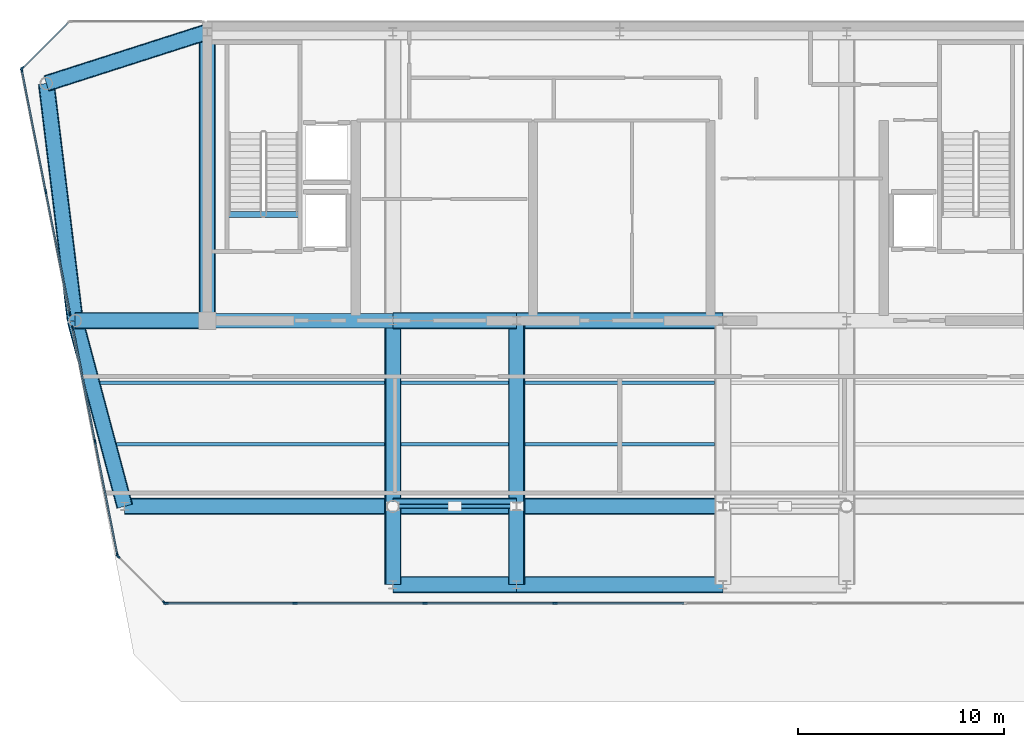
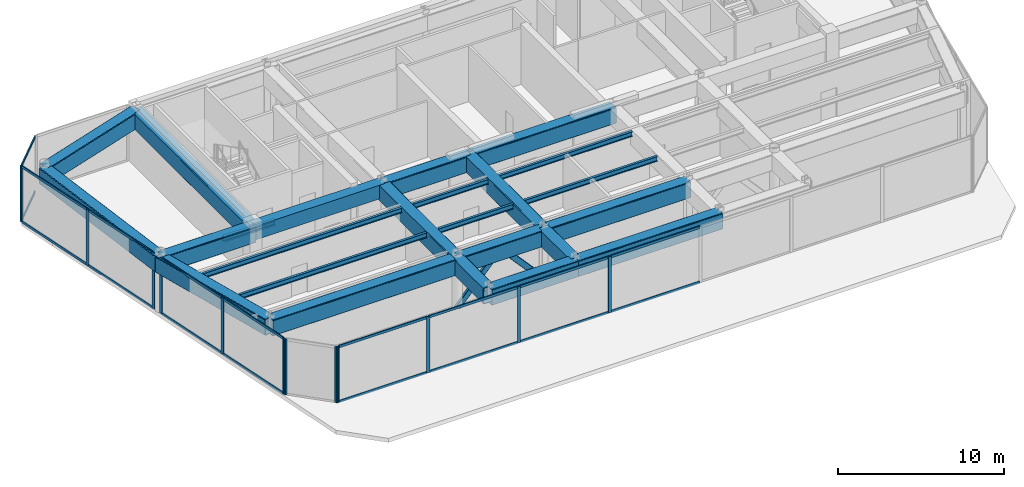
# One storey, part 3 of 12: 33 members, 24 beams, 5 elements without a shape of their own.
"""IFC4 building model written with IfcOpenShell, lengths in metres."""

from ifc_helpers import new_model, si_unit, direction, frame, origin, origin_2d, place, context, subcontext, project, spatial, rectangle, hollow_rectangle, i_section, extrude, source, transform, mapped, material, layer, layer_set, material_profile, profile_set, type_object, element, aggregate, save


model = new_model("IFC4")

# Units and contexts
model_context = context("Model", 3, precision=1e-05, world=origin(), true_north=direction((0.0, 1.0)))
body_context = subcontext(model_context, "Body", "Model", "MODEL_VIEW")
ifc_project = project(units=[si_unit("LENGTHUNIT", "METRE"), si_unit("AREAUNIT", "SQUARE_METRE"), si_unit("VOLUMEUNIT", "CUBIC_METRE"), si_unit("PLANEANGLEUNIT", "RADIAN"), si_unit("MASSUNIT", "GRAM", prefix="KILO")], contexts=[model_context])

# Site, building, storey
site_placement = place(None, origin())
site = spatial("IfcSite", under=ifc_project, at=site_placement, CompositionType="ELEMENT")
building_placement = place(site_placement, origin())
building = spatial("IfcBuilding", under=site, at=building_placement, Name="Vaeldorn Concourse Tower", CompositionType="ELEMENT")
storey_placement = place(building_placement, frame((0.0, 0.0, 308.39990234375)))
storey = spatial("IfcBuildingStorey", under=building, at=storey_placement, Name="L79", CompositionType="ELEMENT", Elevation=308.39990234375)

# Beams
ifc_material_1 = material(Name="Concrete C50/60", Category="concrete")
ifc_material_profile_1 = material_profile(ifc_material_1, rectangle(XDim=0.699951171875, YDim=1.0, at=origin_2d()), Name="RC 700x1000")
ifc_profile_set_1 = profile_set([ifc_material_profile_1], Name="Concrete C50/60")
beam_type_1 = type_object("IfcBeamType", Name="BM-CB-RC700", PredefinedType="BEAM", material=ifc_profile_set_1)
shared_shape_1 = source(origin(), body_context, "Body", "SweptSolid", [
    extrude(rectangle(XDim=0.699951171875, YDim=1.0, at=origin_2d()), origin(), (0.0, 0.0, 1.0), 9.0),
])
beam_1_placement = place(storey_placement, frame((14.0, 36.5, 3.60009765625), z_axis=(1.0, 0.0, 0.0), x_axis=(0.0, 1.0, 0.0)))
element("IfcBeam", 1, at=beam_1_placement, inside=storey, type_object=beam_type_1, Name="Core Coupling Beam L79-1", PredefinedType="BEAM", context=body_context, shape_type="MappedRepresentation", body=[
    mapped(shared_shape_1, transform((0.0, 0.0, 0.0), scale=1.0)),
])
ifc_material_2 = material(Name="Steel S355", Category="steel")
ifc_material_profile_2 = material_profile(ifc_material_2, i_section(OverallWidth=0.300048828125, OverallDepth=0.340087890625, WebThickness=0.011962890625, FlangeThickness=0.021484375, FilletRadius=0.027099609375, at=origin_2d()), Name="HEB 340")
ifc_profile_set_2 = profile_set([ifc_material_profile_2], Name="Steel S355")
beam_type_2 = type_object("IfcBeamType", Name="BM-ST-TRIM", PredefinedType="BEAM", material=ifc_profile_set_2)
shared_shape_2 = source(origin(), body_context, "Body", "SweptSolid", [
    extrude(i_section(OverallWidth=0.300048828125, OverallDepth=0.340087890625, WebThickness=0.011962890625, FlangeThickness=0.021484375, FilletRadius=0.027099609375, at=origin_2d()), origin(), (0.0, 0.0, 1.0), 3.590087890625),
])
beam_2_placement = place(storey_placement, frame((14.929931640625, 41.639892578125, -0.469970703125), z_axis=(1.0, 0.0, 0.0), x_axis=(0.0, 1.0, 0.0)))
element("IfcBeam", 2, at=beam_2_placement, inside=storey, type_object=beam_type_2, Name="Stair Landing Trimmer Beam ST-1 L79", PredefinedType="BEAM", context=body_context, shape_type="MappedRepresentation", body=[
    mapped(shared_shape_2, transform((0.0, 0.0, 0.0), scale=1.0)),
])
ifc_material_3 = material(Name="Steel S460", Category="steel")
ifc_material_profile_3 = material_profile(ifc_material_3, hollow_rectangle(XDim=0.800048828125, YDim=1.199951171875, WallThickness=0.044921875, InnerFilletRadius=0.044921875, OuterFilletRadius=0.090087890625, at=origin_2d()), Name="RHS 1200x800x45")
ifc_profile_set_3 = profile_set([ifc_material_profile_3], Name="Steel S460")
beam_type_3 = type_object("IfcBeamType", Name="BM-TG-RHS1200", PredefinedType="BEAM", material=ifc_profile_set_3)
shared_shape_3 = source(origin(), body_context, "Body", "SweptSolid", [
    extrude(hollow_rectangle(XDim=0.800048828125, YDim=1.199951171875, WallThickness=0.044921875, InnerFilletRadius=0.044921875, OuterFilletRadius=0.090087890625, at=origin_2d()), origin(), (0.0, 0.0, 1.0), 6.0),
])
for number, where, z_axis, x_axis, name in (
    (3, (23.0, 36.5, 3.5), (1.0, 0.0, 0.0), (0.0, 1.0, 0.0), "Beam BM-L79-C-FC2-C-FC3"),
    (4, (23.0, 27.5, 3.5), (1.0, 0.0, 0.0), (0.0, 1.0, 0.0), "Beam BM-L79-C-TW1-C-TW2"),
    (5, (23.0, 23.699951171875, 3.5), (1.0, 0.0, 0.0), (0.0, 1.0, 0.0), "Beam BM-L79-C-SF2-C-SF3"),
):
    element("IfcBeam", number, at=place(storey_placement, frame(where, z_axis=z_axis, x_axis=x_axis)), inside=storey, type_object=beam_type_3, Name=name, PredefinedType="BEAM", context=body_context, shape_type="MappedRepresentation", body=[
        mapped(shared_shape_3, transform((0.0, 0.0, 0.0), scale=1.0)),
    ])
shared_shape_4 = source(origin(), body_context, "Body", "SweptSolid", [
    extrude(hollow_rectangle(XDim=0.800048828125, YDim=1.199951171875, WallThickness=0.044921875, InnerFilletRadius=0.044921875, OuterFilletRadius=0.090087890625, at=origin_2d()), origin(), (0.0, 0.0, 1.0), 10.0),
])
for number, where, z_axis, x_axis, name in (
    (6, (29.0, 36.5, 3.5), (1.0, 0.0, 0.0), (0.0, 1.0, 0.0), "Beam BM-L79-C-FC3-C-FC4"),
    (7, (29.0, 27.5, 3.5), (1.0, 0.0, 0.0), (0.0, 1.0, 0.0), "Beam BM-L79-C-TW2-C-TW3"),
    (8, (29.0, 23.699951171875, 3.5), (1.0, 0.0, 0.0), (0.0, 1.0, 0.0), "Beam BM-L79-C-SF3-C-SF4"),
):
    element("IfcBeam", number, at=place(storey_placement, frame(where, z_axis=z_axis, x_axis=x_axis)), inside=storey, type_object=beam_type_3, Name=name, PredefinedType="BEAM", context=body_context, shape_type="MappedRepresentation", body=[
        mapped(shared_shape_4, transform((0.0, 0.0, 0.0), scale=1.0)),
    ])
shared_shape_5 = source(origin(), body_context, "Body", "SweptSolid", [
    extrude(hollow_rectangle(XDim=0.800048828125, YDim=1.199951171875, WallThickness=0.044921875, InnerFilletRadius=0.044921875, OuterFilletRadius=0.090087890625, at=origin_2d()), origin(), (0.0, 0.0, 1.0), 9.0),
])
for number, where, z_axis, x_axis, name in (
    (9, (23.0, 27.5, 3.5), (0.0, 1.0, 0.0), (-1.0, 0.0, 0.0), "Beam BM-L79-C-TW1-C-FC2"),
    (10, (29.0, 27.5, 3.5), (0.0, 1.0, 0.0), (-1.0, 0.0, 0.0), "Beam BM-L79-C-TW2-C-FC3"),
):
    element("IfcBeam", number, at=place(storey_placement, frame(where, z_axis=z_axis, x_axis=x_axis)), inside=storey, type_object=beam_type_3, Name=name, PredefinedType="BEAM", context=body_context, shape_type="MappedRepresentation", body=[
        mapped(shared_shape_5, transform((0.0, 0.0, 0.0), scale=1.0)),
    ])
shared_shape_6 = source(origin(), body_context, "Body", "SweptSolid", [
    extrude(hollow_rectangle(XDim=0.800048828125, YDim=1.199951171875, WallThickness=0.044921875, InnerFilletRadius=0.044921875, OuterFilletRadius=0.090087890625, at=origin_2d()), origin(), (0.0, 0.0, 1.0), 14.0),
])
beam_3_placement = place(storey_placement, frame((14.0, 36.5, 3.5), z_axis=(0.0, 1.0, 0.0), x_axis=(-1.0, 0.0, 0.0)))
element("IfcBeam", 11, at=beam_3_placement, inside=storey, type_object=beam_type_3, Name="Beam BM-L79-C-FC1-C-HC1", PredefinedType="BEAM", context=body_context, shape_type="MappedRepresentation", body=[
    mapped(shared_shape_6, transform((0.0, 0.0, 0.0), scale=1.0)),
])
shared_shape_7 = source(origin(), body_context, "Body", "SweptSolid", [
    extrude(hollow_rectangle(XDim=0.800048828125, YDim=1.199951171875, WallThickness=0.044921875, InnerFilletRadius=0.044921875, OuterFilletRadius=0.090087890625, at=origin_2d()), origin(), (0.0, 0.0, 1.0), 13.0),
])
beam_4_placement = place(storey_placement, frame((10.0, 27.5, 3.5), z_axis=(1.0, 0.0, 0.0), x_axis=(0.0, 1.0, 0.0)))
element("IfcBeam", 12, at=beam_4_placement, inside=storey, type_object=beam_type_3, Name="Beam BM-L79-C-FLW1-C-TW1", PredefinedType="BEAM", context=body_context, shape_type="MappedRepresentation", body=[
    mapped(shared_shape_7, transform((0.0, 0.0, 0.0), scale=1.0)),
])
shared_shape_8 = source(origin(), body_context, "Body", "SweptSolid", [
    extrude(hollow_rectangle(XDim=0.800048828125, YDim=1.199951171875, WallThickness=0.044921875, InnerFilletRadius=0.044921875, OuterFilletRadius=0.090087890625, at=origin_2d()), origin(), (0.0, 0.0, 1.0), 6.39990234375),
])
beam_5_placement = place(storey_placement, frame((7.60009765625, 36.5, 3.5), z_axis=(1.0, 0.0, 0.0), x_axis=(0.0, 1.0, 0.0)))
element("IfcBeam", 13, at=beam_5_placement, inside=storey, type_object=beam_type_3, Name="Beam BM-L79-C-NW2-C-FC1", PredefinedType="BEAM", context=body_context, shape_type="MappedRepresentation", body=[
    mapped(shared_shape_8, transform((0.0, 0.0, 0.0), scale=1.0)),
])
shared_shape_9 = source(origin(), body_context, "Body", "SweptSolid", [
    extrude(hollow_rectangle(XDim=0.800048828125, YDim=1.199951171875, WallThickness=0.044921875, InnerFilletRadius=0.044921875, OuterFilletRadius=0.090087890625, at=origin_2d()), origin(), (0.0, 0.0, 1.0), 8.19091796875),
])
beam_6_placement = place(storey_placement, frame((6.199951171875, 48.0, 3.5), z_axis=(0.952282843383, 0.305216949396, 0.0), x_axis=(-0.305216949396, 0.952282843383, 0.0)))
element("IfcBeam", 14, at=beam_6_placement, inside=storey, type_object=beam_type_3, Name="Beam BM-L79-C-NW1-C-HC1", PredefinedType="BEAM", context=body_context, shape_type="MappedRepresentation", body=[
    mapped(shared_shape_9, transform((0.0, 0.0, 0.0), scale=1.0)),
])
shared_shape_10 = source(origin(), body_context, "Body", "SweptSolid", [
    extrude(hollow_rectangle(XDim=0.800048828125, YDim=1.199951171875, WallThickness=0.044921875, InnerFilletRadius=0.044921875, OuterFilletRadius=0.090087890625, at=origin_2d()), origin(), (0.0, 0.0, 1.0), 11.5849609375),
])
beam_7_placement = place(storey_placement, frame((6.199951171875, 48.0, 3.5), z_axis=(0.120859382899, -0.992669637677, 0.0), x_axis=(0.992669637677, 0.120859382899, 0.0)))
element("IfcBeam", 15, at=beam_7_placement, inside=storey, type_object=beam_type_3, Name="Beam BM-L79-C-NW1-C-NW2", PredefinedType="BEAM", context=body_context, shape_type="MappedRepresentation", body=[
    mapped(shared_shape_10, transform((0.0, 0.0, 0.0), scale=1.0)),
])
shared_shape_11 = source(origin(), body_context, "Body", "SweptSolid", [
    extrude(hollow_rectangle(XDim=0.800048828125, YDim=1.199951171875, WallThickness=0.044921875, InnerFilletRadius=0.044921875, OuterFilletRadius=0.090087890625, at=origin_2d()), origin(), (0.0, 0.0, 1.0), 9.314453125),
])
beam_8_placement = place(storey_placement, frame((7.60009765625, 36.5, 3.5), z_axis=(0.257652862255, -0.966237549763, 0.0), x_axis=(0.966237549763, 0.257652862255, 0.0)))
element("IfcBeam", 16, at=beam_8_placement, inside=storey, type_object=beam_type_3, Name="Beam BM-L79-C-NW2-C-FLW1", PredefinedType="BEAM", context=body_context, shape_type="MappedRepresentation", body=[
    mapped(shared_shape_11, transform((0.0, 0.0, 0.0), scale=1.0)),
])
ifc_material_profile_4 = material_profile(ifc_material_2, i_section(OverallWidth=0.169921875, OverallDepth=0.360107421875, WebThickness=0.008056640625, FlangeThickness=0.0126953125, FilletRadius=0.01806640625, at=origin_2d()), Name="IPE 360")
ifc_profile_set_4 = profile_set([ifc_material_profile_4], Name="Steel S355")
beam_type_4 = type_object("IfcBeamType", Name="BM-JS-IPE360", PredefinedType="JOIST", material=ifc_profile_set_4)
shared_shape_12 = source(origin(), body_context, "Body", "SweptSolid", [
    extrude(i_section(OverallWidth=0.169921875, OverallDepth=0.360107421875, WebThickness=0.008056640625, FlangeThickness=0.0126953125, FilletRadius=0.01806640625, at=origin_2d()), origin(), (0.0, 0.0, 1.0), 5.2001953125),
])
for number, where, z_axis, x_axis, name in (
    (17, (23.39990234375, 30.5, 3.920166015625), (1.0, 0.0, 0.0), (0.0, 1.0, 0.0), "Beam JS-L79-W2-305"),
    (18, (23.39990234375, 33.5, 3.920166015625), (1.0, 0.0, 0.0), (0.0, 1.0, 0.0), "Beam JS-L79-W2-335"),
):
    element("IfcBeam", number, at=place(storey_placement, frame(where, z_axis=z_axis, x_axis=x_axis)), inside=storey, type_object=beam_type_4, Name=name, PredefinedType="JOIST", context=body_context, shape_type="MappedRepresentation", body=[
        mapped(shared_shape_12, transform((0.0, 0.0, 0.0), scale=1.0)),
    ])
shared_shape_13 = source(origin(), body_context, "Body", "SweptSolid", [
    extrude(i_section(OverallWidth=0.169921875, OverallDepth=0.360107421875, WebThickness=0.008056640625, FlangeThickness=0.0126953125, FilletRadius=0.01806640625, at=origin_2d()), origin(), (0.0, 0.0, 1.0), 9.2001953125),
])
for number, where, z_axis, x_axis, name in (
    (19, (29.39990234375, 30.5, 3.920166015625), (1.0, 0.0, 0.0), (0.0, 1.0, 0.0), "Beam JS-L79-C-305"),
    (20, (29.39990234375, 33.5, 3.920166015625), (1.0, 0.0, 0.0), (0.0, 1.0, 0.0), "Beam JS-L79-C-335"),
):
    element("IfcBeam", number, at=place(storey_placement, frame(where, z_axis=z_axis, x_axis=x_axis)), inside=storey, type_object=beam_type_4, Name=name, PredefinedType="JOIST", context=body_context, shape_type="MappedRepresentation", body=[
        mapped(shared_shape_13, transform((0.0, 0.0, 0.0), scale=1.0)),
    ])
shared_shape_14 = source(origin(), body_context, "Body", "SweptSolid", [
    extrude(hollow_rectangle(XDim=0.800048828125, YDim=1.199951171875, WallThickness=0.044921875, InnerFilletRadius=0.044921875, OuterFilletRadius=0.090087890625, at=origin_2d()), origin(), (0.0, 0.0, 1.0), 3.800048828125),
])
for number, where, z_axis, x_axis, name in (
    (21, (23.0, 23.699951171875, 3.5), (0.0, 1.0, 0.0), (-1.0, 0.0, 0.0), "Beam BM-L79-C-SF2-C-TW1"),
    (22, (29.0, 23.699951171875, 3.5), (0.0, 1.0, 0.0), (-1.0, 0.0, 0.0), "Beam BM-L79-C-SF3-C-TW2"),
):
    element("IfcBeam", number, at=place(storey_placement, frame(where, z_axis=z_axis, x_axis=x_axis)), inside=storey, type_object=beam_type_3, Name=name, PredefinedType="BEAM", context=body_context, shape_type="MappedRepresentation", body=[
        mapped(shared_shape_14, transform((0.0, 0.0, 0.0), scale=1.0)),
    ])
shared_shape_15 = source(origin(), body_context, "Body", "SweptSolid", [
    extrude(i_section(OverallWidth=0.169921875, OverallDepth=0.360107421875, WebThickness=0.008056640625, FlangeThickness=0.0126953125, FilletRadius=0.01806640625, at=origin_2d()), origin(), (0.0, 0.0, 1.0), 13.0),
])
beam_9_placement = place(storey_placement, frame((9.60009765625, 30.5, 3.920166015625), z_axis=(1.0, 0.0, 0.0), x_axis=(0.0, 1.0, 0.0)))
element("IfcBeam", 23, at=beam_9_placement, inside=storey, type_object=beam_type_4, Name="Beam JS-L79-W1-305", PredefinedType="JOIST", context=body_context, shape_type="MappedRepresentation", body=[
    mapped(shared_shape_15, transform((0.0, 0.0, 0.0), scale=1.0)),
])
shared_shape_16 = source(origin(), body_context, "Body", "SweptSolid", [
    extrude(i_section(OverallWidth=0.169921875, OverallDepth=0.360107421875, WebThickness=0.008056640625, FlangeThickness=0.0126953125, FilletRadius=0.01806640625, at=origin_2d()), origin(), (0.0, 0.0, 1.0), 13.800048828125),
])
beam_10_placement = place(storey_placement, frame((8.800048828125, 33.5, 3.920166015625), z_axis=(1.0, 0.0, 0.0), x_axis=(0.0, 1.0, 0.0)))
element("IfcBeam", 24, at=beam_10_placement, inside=storey, type_object=beam_type_4, Name="Beam JS-L79-W1-335", PredefinedType="JOIST", context=body_context, shape_type="MappedRepresentation", body=[
    mapped(shared_shape_16, transform((0.0, 0.0, 0.0), scale=1.0)),
])

# Members
ifc_material_profile_5 = material_profile(ifc_material_2, hollow_rectangle(XDim=0.199951171875, YDim=0.39990234375, WallThickness=0.01611328125, InnerFilletRadius=0.01611328125, OuterFilletRadius=0.031982421875, at=origin_2d()), Name="RHS 400x200x16")
ifc_profile_set_5 = profile_set([ifc_material_profile_5], Name="Steel S355")
member_type_1 = type_object("IfcMemberType", Name="MB-CRN-STRUT", PredefinedType="STRUT", material=ifc_profile_set_5)
shared_shape_17 = source(origin(), body_context, "Body", "SweptSolid", [
    extrude(hollow_rectangle(XDim=0.199951171875, YDim=0.39990234375, WallThickness=0.01611328125, InnerFilletRadius=0.01611328125, OuterFilletRadius=0.031982421875, at=origin_2d()), origin(), (0.0, 0.0, 1.0), 4.4970703125),
])
for number, where, z_axis, x_axis, name in (
    (25, (23.0, 27.5, 0.25), (0.667109010953, 0.0, 0.744960111352), (0.0, 1.0, 0.0), "Crown Frame Brace Strut L79-1A"),
    (26, (29.0, 27.5, 0.25), (-0.667109010953, 0.0, 0.744960111352), (0.0, -1.0, 0.0), "Crown Frame Brace Strut L79-1B"),
):
    element("IfcMember", number, at=place(storey_placement, frame(where, z_axis=z_axis, x_axis=x_axis)), inside=storey, type_object=member_type_1, Name=name, PredefinedType="STRUT", context=body_context, shape_type="MappedRepresentation", body=[
        mapped(shared_shape_17, transform((0.0, 0.0, 0.0), scale=1.0)),
    ])

# Curtain wall, members
ifc_material_4 = material(Name="Anodised Bronze Aluminium", Category="aluminium")
ifc_layer = layer(ifc_material_4, 0.22998046875)
ifc_layer_set = layer_set([ifc_layer], Name="Anodised Bronze Aluminium")
curtain_wall_type = type_object("IfcCurtainWallType", Name="CW-SYS-07", PredefinedType="NOTDEFINED", material=ifc_layer_set)
curtain_wall_1_placement = place(storey_placement, origin())
curtain_wall_1 = element("IfcCurtainWall", 27, at=curtain_wall_1_placement, inside=storey, type_object=curtain_wall_type, Name="Unitised Curtain Wall CW-L79-E06-1", PredefinedType="NOTDEFINED")
ifc_material_profile_6 = material_profile(ifc_material_4, rectangle(XDim=0.074951171875, YDim=0.179931640625, at=origin_2d()), Name="CWT 75x180")
ifc_profile_set_6 = profile_set([ifc_material_profile_6], Name="Anodised Bronze Aluminium")
member_type_2 = type_object("IfcMemberType", Name="CWT-BRONZE-180", PredefinedType="USERDEFINED", material=ifc_profile_set_6)
shared_shape_18 = source(origin(), body_context, "Body", "SweptSolid", [
    extrude(rectangle(XDim=0.074951171875, YDim=0.179931640625, at=origin_2d()), origin(), (0.0, 0.0, 1.0), 3.10302734375),
])
member_1_placement = place(storey_placement, frame((7.2470703125, 50.947021484375, 0.03759765625), z_axis=(-0.707106781187, -0.707106781187, 0.0), x_axis=(0.707106781187, -0.707106781187, 0.0)))
member_1 = element("IfcMember", 28, at=member_1_placement, type_object=member_type_2, Name="CW-07 transom 1.1", ObjectType="TRANSOM", PredefinedType="USERDEFINED", context=body_context, shape_type="MappedRepresentation", body=[
    mapped(shared_shape_18, transform((0.0, 0.0, 0.0), scale=1.0)),
])
member_2_placement = place(storey_placement, frame((7.2470703125, 50.947021484375, 4.0625), z_axis=(-0.707106781187, -0.707106781187, 0.0), x_axis=(0.707106781187, -0.707106781187, 0.0)))
member_2 = element("IfcMember", 29, at=member_2_placement, type_object=member_type_2, Name="CW-07 transom 1.2", ObjectType="TRANSOM", PredefinedType="USERDEFINED", context=body_context, shape_type="MappedRepresentation", body=[
    mapped(shared_shape_18, transform((0.0, 0.0, 0.0), scale=1.0)),
])

curtain_wall_2_placement = place(storey_placement, origin())
curtain_wall_2 = element("IfcCurtainWall", 30, at=curtain_wall_2_placement, inside=storey, type_object=curtain_wall_type, Name="Unitised Curtain Wall CW-L79-E01-1", PredefinedType="NOTDEFINED")
ifc_material_profile_7 = material_profile(ifc_material_4, rectangle(XDim=0.074951171875, YDim=0.219970703125, at=origin_2d()), Name="CWM 75x220")
ifc_profile_set_7 = profile_set([ifc_material_profile_7], Name="Anodised Bronze Aluminium")
member_type_3 = type_object("IfcMemberType", Name="CWM-BRONZE-220", PredefinedType="MULLION", material=ifc_profile_set_7)
shared_shape_19 = source(origin(), body_context, "Body", "SweptSolid", [
    extrude(rectangle(XDim=0.074951171875, YDim=0.219970703125, at=origin_2d()), origin(), (0.0, 0.0, 1.0), 4.10009765625),
])
member_3_placement = place(storey_placement, frame((11.990478515625, 22.800048828125, 0.0), z_axis=(0.0, 0.0, 1.0), x_axis=(0.0, 1.0, 0.0)))
member_3 = element("IfcMember", 31, at=member_3_placement, type_object=member_type_3, Name="CW-07 mullion 1", PredefinedType="MULLION", context=body_context, shape_type="MappedRepresentation", body=[
    mapped(shared_shape_19, transform((0.0, 0.0, 0.0), scale=1.0)),
])
member_4_placement = place(storey_placement, frame((18.252197265625, 22.800048828125, 0.0), z_axis=(0.0, 0.0, 1.0), x_axis=(0.0, 1.0, 0.0)))
member_4 = element("IfcMember", 32, at=member_4_placement, type_object=member_type_3, Name="CW-07 mullion 2", PredefinedType="MULLION", context=body_context, shape_type="MappedRepresentation", body=[
    mapped(shared_shape_19, transform((0.0, 0.0, 0.0), scale=1.0)),
])
member_5_placement = place(storey_placement, frame((24.55126953125, 22.800048828125, 0.0), z_axis=(0.0, 0.0, 1.0), x_axis=(0.0, 1.0, 0.0)))
member_5 = element("IfcMember", 33, at=member_5_placement, type_object=member_type_3, Name="CW-07 mullion 3", PredefinedType="MULLION", context=body_context, shape_type="MappedRepresentation", body=[
    mapped(shared_shape_19, transform((0.0, 0.0, 0.0), scale=1.0)),
])
member_6_placement = place(storey_placement, frame((30.850341796875, 22.800048828125, 0.0), z_axis=(0.0, 0.0, 1.0), x_axis=(0.0, 1.0, 0.0)))
member_6 = element("IfcMember", 34, at=member_6_placement, type_object=member_type_3, Name="CW-07 mullion 4", PredefinedType="MULLION", context=body_context, shape_type="MappedRepresentation", body=[
    mapped(shared_shape_19, transform((0.0, 0.0, 0.0), scale=1.0)),
])

# Member
member_7_placement = place(storey_placement, frame((5.026611328125, 48.7265625, 0.0), z_axis=(0.0, 0.0, 1.0), x_axis=(0.707106781187, -0.707106781187, 0.0)))
member_7 = element("IfcMember", 35, at=member_7_placement, type_object=member_type_3, Name="CW-07 mullion 2", PredefinedType="MULLION", context=body_context, shape_type="MappedRepresentation", body=[
    mapped(shared_shape_19, transform((0.0, 0.0, 0.0), scale=1.0)),
])

aggregate(curtain_wall_1, [member_7, member_1, member_2])

# Curtain wall, members
curtain_wall_3_placement = place(storey_placement, origin())
curtain_wall_3 = element("IfcCurtainWall", 36, at=curtain_wall_3_placement, inside=storey, type_object=curtain_wall_type, Name="Unitised Curtain Wall CW-L79-E07-1", PredefinedType="NOTDEFINED")
member_8_placement = place(storey_placement, frame((5.00732421875, 48.663330078125, 0.0), z_axis=(0.0, 0.0, 1.0), x_axis=(0.981112017519, 0.193440453575, 0.0)))
member_8 = element("IfcMember", 37, at=member_8_placement, type_object=member_type_3, Name="CW-07 mullion 1", PredefinedType="MULLION", context=body_context, shape_type="MappedRepresentation", body=[
    mapped(shared_shape_19, transform((0.0, 0.0, 0.0), scale=1.0)),
])
member_9_placement = place(storey_placement, frame((6.171630859375, 42.757568359375, 0.0), z_axis=(0.0, 0.0, 1.0), x_axis=(0.981112017519, 0.193440453575, 0.0)))
member_9 = element("IfcMember", 38, at=member_9_placement, type_object=member_type_3, Name="CW-07 mullion 2", PredefinedType="MULLION", context=body_context, shape_type="MappedRepresentation", body=[
    mapped(shared_shape_19, transform((0.0, 0.0, 0.0), scale=1.0)),
])
member_10_placement = place(storey_placement, frame((7.3359375, 36.851806640625, 0.0), z_axis=(0.0, 0.0, 1.0), x_axis=(0.981112017519, 0.193440453575, 0.0)))
member_10 = element("IfcMember", 39, at=member_10_placement, type_object=member_type_3, Name="CW-07 mullion 3", PredefinedType="MULLION", context=body_context, shape_type="MappedRepresentation", body=[
    mapped(shared_shape_19, transform((0.0, 0.0, 0.0), scale=1.0)),
])

curtain_wall_4_placement = place(storey_placement, origin())
curtain_wall_4 = element("IfcCurtainWall", 40, at=curtain_wall_4_placement, inside=storey, type_object=curtain_wall_type, Name="Unitised Curtain Wall CW-L79-E07-2", PredefinedType="NOTDEFINED")
member_11_placement = place(storey_placement, frame((7.474853515625, 36.148193359375, 0.0), z_axis=(0.0, 0.0, 1.0), x_axis=(0.981113166559, 0.193434625662, 0.0)))
member_11 = element("IfcMember", 41, at=member_11_placement, type_object=member_type_3, Name="CW-07 mullion 1", PredefinedType="MULLION", context=body_context, shape_type="MappedRepresentation", body=[
    mapped(shared_shape_19, transform((0.0, 0.0, 0.0), scale=1.0)),
])
member_12_placement = place(storey_placement, frame((8.560302734375, 30.642578125, 0.0), z_axis=(0.0, 0.0, 1.0), x_axis=(0.981113166559, 0.193434625662, 0.0)))
member_12 = element("IfcMember", 42, at=member_12_placement, type_object=member_type_3, Name="CW-07 mullion 2", PredefinedType="MULLION", context=body_context, shape_type="MappedRepresentation", body=[
    mapped(shared_shape_19, transform((0.0, 0.0, 0.0), scale=1.0)),
])
member_13_placement = place(storey_placement, frame((9.645751953125, 25.13671875, 0.0), z_axis=(0.0, 0.0, 1.0), x_axis=(0.981113166559, 0.193434625662, 0.0)))
member_13 = element("IfcMember", 43, at=member_13_placement, type_object=member_type_3, Name="CW-07 mullion 3", PredefinedType="MULLION", context=body_context, shape_type="MappedRepresentation", body=[
    mapped(shared_shape_19, transform((0.0, 0.0, 0.0), scale=1.0)),
])

curtain_wall_5_placement = place(storey_placement, origin())
curtain_wall_5 = element("IfcCurtainWall", 44, at=curtain_wall_5_placement, inside=storey, type_object=curtain_wall_type, Name="Unitised Curtain Wall CW-L79-E08-1", PredefinedType="NOTDEFINED")
member_14_placement = place(storey_placement, frame((9.679443359375, 25.073486328125, 0.0), z_axis=(0.0, 0.0, 1.0), x_axis=(0.707106781187, 0.707106781187, 0.0)))
member_14 = element("IfcMember", 45, at=member_14_placement, type_object=member_type_3, Name="CW-07 mullion 1", PredefinedType="MULLION", context=body_context, shape_type="MappedRepresentation", body=[
    mapped(shared_shape_19, transform((0.0, 0.0, 0.0), scale=1.0)),
])
member_15_placement = place(storey_placement, frame((11.926513671875, 22.826416015625, 0.0), z_axis=(0.0, 0.0, 1.0), x_axis=(0.707106781187, 0.707106781187, 0.0)))
member_15 = element("IfcMember", 46, at=member_15_placement, type_object=member_type_3, Name="CW-07 mullion 2", PredefinedType="MULLION", context=body_context, shape_type="MappedRepresentation", body=[
    mapped(shared_shape_19, transform((0.0, 0.0, 0.0), scale=1.0)),
])
aggregate(curtain_wall_5, [member_14, member_15])

# Member
shared_shape_20 = source(origin(), body_context, "Body", "SweptSolid", [
    extrude(rectangle(XDim=0.074951171875, YDim=0.179931640625, at=origin_2d()), origin(), (0.0, 0.0, 1.0), 6.1865234375),
])
member_16_placement = place(storey_placement, frame((12.028076171875, 22.800048828125, 0.03759765625), z_axis=(1.0, 0.0, 0.0), x_axis=(0.0, 1.0, 0.0)))
member_16 = element("IfcMember", 47, at=member_16_placement, type_object=member_type_2, Name="CW-07 transom 1.1", ObjectType="TRANSOM", PredefinedType="USERDEFINED", context=body_context, shape_type="MappedRepresentation", body=[
    mapped(shared_shape_20, transform((0.0, 0.0, 0.0), scale=1.0)),
])

member_17_placement = place(storey_placement, frame((12.028076171875, 22.800048828125, 4.0625), z_axis=(1.0, 0.0, 0.0), x_axis=(0.0, 1.0, 0.0)))
member_17 = element("IfcMember", 48, at=member_17_placement, type_object=member_type_2, Name="CW-07 transom 1.2", ObjectType="TRANSOM", PredefinedType="USERDEFINED", context=body_context, shape_type="MappedRepresentation", body=[
    mapped(shared_shape_20, transform((0.0, 0.0, 0.0), scale=1.0)),
])

shared_shape_21 = source(origin(), body_context, "Body", "SweptSolid", [
    extrude(rectangle(XDim=0.074951171875, YDim=0.179931640625, at=origin_2d()), origin(), (0.0, 0.0, 1.0), 6.22412109375),
])
member_18_placement = place(storey_placement, frame((18.28955078125, 22.800048828125, 0.03759765625), z_axis=(1.0, 0.0, 0.0), x_axis=(0.0, 1.0, 0.0)))
member_18 = element("IfcMember", 49, at=member_18_placement, type_object=member_type_2, Name="CW-07 transom 2.1", ObjectType="TRANSOM", PredefinedType="USERDEFINED", context=body_context, shape_type="MappedRepresentation", body=[
    mapped(shared_shape_21, transform((0.0, 0.0, 0.0), scale=1.0)),
])

member_19_placement = place(storey_placement, frame((18.28955078125, 22.800048828125, 4.0625), z_axis=(1.0, 0.0, 0.0), x_axis=(0.0, 1.0, 0.0)))
member_19 = element("IfcMember", 50, at=member_19_placement, type_object=member_type_2, Name="CW-07 transom 2.2", ObjectType="TRANSOM", PredefinedType="USERDEFINED", context=body_context, shape_type="MappedRepresentation", body=[
    mapped(shared_shape_21, transform((0.0, 0.0, 0.0), scale=1.0)),
])

member_20_placement = place(storey_placement, frame((24.5888671875, 22.800048828125, 0.03759765625), z_axis=(1.0, 0.0, 0.0), x_axis=(0.0, 1.0, 0.0)))
member_20 = element("IfcMember", 51, at=member_20_placement, type_object=member_type_2, Name="CW-07 transom 3.1", ObjectType="TRANSOM", PredefinedType="USERDEFINED", context=body_context, shape_type="MappedRepresentation", body=[
    mapped(shared_shape_21, transform((0.0, 0.0, 0.0), scale=1.0)),
])

member_21_placement = place(storey_placement, frame((24.5888671875, 22.800048828125, 4.0625), z_axis=(1.0, 0.0, 0.0), x_axis=(0.0, 1.0, 0.0)))
member_21 = element("IfcMember", 52, at=member_21_placement, type_object=member_type_2, Name="CW-07 transom 3.2", ObjectType="TRANSOM", PredefinedType="USERDEFINED", context=body_context, shape_type="MappedRepresentation", body=[
    mapped(shared_shape_21, transform((0.0, 0.0, 0.0), scale=1.0)),
])

member_22_placement = place(storey_placement, frame((30.887939453125, 22.800048828125, 0.03759765625), z_axis=(1.0, 0.0, 0.0), x_axis=(0.0, 1.0, 0.0)))
member_22 = element("IfcMember", 53, at=member_22_placement, type_object=member_type_2, Name="CW-07 transom 4.1", ObjectType="TRANSOM", PredefinedType="USERDEFINED", context=body_context, shape_type="MappedRepresentation", body=[
    mapped(shared_shape_21, transform((0.0, 0.0, 0.0), scale=1.0)),
])

member_23_placement = place(storey_placement, frame((30.887939453125, 22.800048828125, 4.0625), z_axis=(1.0, 0.0, 0.0), x_axis=(0.0, 1.0, 0.0)))
member_23 = element("IfcMember", 54, at=member_23_placement, type_object=member_type_2, Name="CW-07 transom 4.2", ObjectType="TRANSOM", PredefinedType="USERDEFINED", context=body_context, shape_type="MappedRepresentation", body=[
    mapped(shared_shape_21, transform((0.0, 0.0, 0.0), scale=1.0)),
])

aggregate(curtain_wall_2, [member_3, member_4, member_5, member_6, member_16, member_17, member_18, member_19, member_20, member_21, member_22, member_23])

shared_shape_22 = source(origin(), body_context, "Body", "SweptSolid", [
    extrude(rectangle(XDim=0.074951171875, YDim=0.179931640625, at=origin_2d()), origin(), (0.0, 0.0, 1.0), 5.53662109375),
])
member_24_placement = place(storey_placement, frame((7.48193359375, 36.111328125, 0.03759765625), z_axis=(0.193444274857, -0.98111126409, 0.0), x_axis=(0.98111126409, 0.193444274857, 0.0)))
member_24 = element("IfcMember", 55, at=member_24_placement, type_object=member_type_2, Name="CW-07 transom 1.1", ObjectType="TRANSOM", PredefinedType="USERDEFINED", context=body_context, shape_type="MappedRepresentation", body=[
    mapped(shared_shape_22, transform((0.0, 0.0, 0.0), scale=1.0)),
])

member_25_placement = place(storey_placement, frame((7.48193359375, 36.111328125, 4.0625), z_axis=(0.193444274857, -0.98111126409, 0.0), x_axis=(0.98111126409, 0.193444274857, 0.0)))
member_25 = element("IfcMember", 56, at=member_25_placement, type_object=member_type_2, Name="CW-07 transom 1.2", ObjectType="TRANSOM", PredefinedType="USERDEFINED", context=body_context, shape_type="MappedRepresentation", body=[
    mapped(shared_shape_22, transform((0.0, 0.0, 0.0), scale=1.0)),
])

member_26_placement = place(storey_placement, frame((8.5673828125, 30.605712890625, 0.03759765625), z_axis=(0.193444274857, -0.98111126409, 0.0), x_axis=(0.98111126409, 0.193444274857, 0.0)))
member_26 = element("IfcMember", 57, at=member_26_placement, type_object=member_type_2, Name="CW-07 transom 2.1", ObjectType="TRANSOM", PredefinedType="USERDEFINED", context=body_context, shape_type="MappedRepresentation", body=[
    mapped(shared_shape_22, transform((0.0, 0.0, 0.0), scale=1.0)),
])

member_27_placement = place(storey_placement, frame((8.5673828125, 30.605712890625, 4.0625), z_axis=(0.193444274857, -0.98111126409, 0.0), x_axis=(0.98111126409, 0.193444274857, 0.0)))
member_27 = element("IfcMember", 58, at=member_27_placement, type_object=member_type_2, Name="CW-07 transom 2.2", ObjectType="TRANSOM", PredefinedType="USERDEFINED", context=body_context, shape_type="MappedRepresentation", body=[
    mapped(shared_shape_22, transform((0.0, 0.0, 0.0), scale=1.0)),
])

aggregate(curtain_wall_4, [member_11, member_12, member_13, member_24, member_25, member_26, member_27])

shared_shape_23 = source(origin(), body_context, "Body", "SweptSolid", [
    extrude(rectangle(XDim=0.074951171875, YDim=0.179931640625, at=origin_2d()), origin(), (0.0, 0.0, 1.0), 5.9443359375),
])
member_28_placement = place(storey_placement, frame((6.178955078125, 42.720703125, 0.03759765625), z_axis=(0.193445774498, -0.981110968407, 0.0), x_axis=(0.981110968407, 0.193445774498, 0.0)))
member_28 = element("IfcMember", 59, at=member_28_placement, type_object=member_type_2, Name="CW-07 transom 2.1", ObjectType="TRANSOM", PredefinedType="USERDEFINED", context=body_context, shape_type="MappedRepresentation", body=[
    mapped(shared_shape_23, transform((0.0, 0.0, 0.0), scale=1.0)),
])

member_29_placement = place(storey_placement, frame((6.178955078125, 42.720703125, 4.0625), z_axis=(0.193445774498, -0.981110968407, 0.0), x_axis=(0.981110968407, 0.193445774498, 0.0)))
member_29 = element("IfcMember", 60, at=member_29_placement, type_object=member_type_2, Name="CW-07 transom 2.2", ObjectType="TRANSOM", PredefinedType="USERDEFINED", context=body_context, shape_type="MappedRepresentation", body=[
    mapped(shared_shape_23, transform((0.0, 0.0, 0.0), scale=1.0)),
])

shared_shape_24 = source(origin(), body_context, "Body", "SweptSolid", [
    extrude(rectangle(XDim=0.074951171875, YDim=0.179931640625, at=origin_2d()), origin(), (0.0, 0.0, 1.0), 5.944580078125),
])
member_30_placement = place(storey_placement, frame((5.014404296875, 48.62646484375, 0.03759765625), z_axis=(0.193437979813, -0.981112505254, 0.0), x_axis=(0.981112505254, 0.193437979813, 0.0)))
member_30 = element("IfcMember", 61, at=member_30_placement, type_object=member_type_2, Name="CW-07 transom 1.1", ObjectType="TRANSOM", PredefinedType="USERDEFINED", context=body_context, shape_type="MappedRepresentation", body=[
    mapped(shared_shape_24, transform((0.0, 0.0, 0.0), scale=1.0)),
])

member_31_placement = place(storey_placement, frame((5.014404296875, 48.62646484375, 4.0625), z_axis=(0.193437979813, -0.981112505254, 0.0), x_axis=(0.981112505254, 0.193437979813, 0.0)))
member_31 = element("IfcMember", 62, at=member_31_placement, type_object=member_type_2, Name="CW-07 transom 1.2", ObjectType="TRANSOM", PredefinedType="USERDEFINED", context=body_context, shape_type="MappedRepresentation", body=[
    mapped(shared_shape_24, transform((0.0, 0.0, 0.0), scale=1.0)),
])

aggregate(curtain_wall_3, [member_8, member_9, member_10, member_30, member_31, member_28, member_29])

save(model, "model.ifc")
